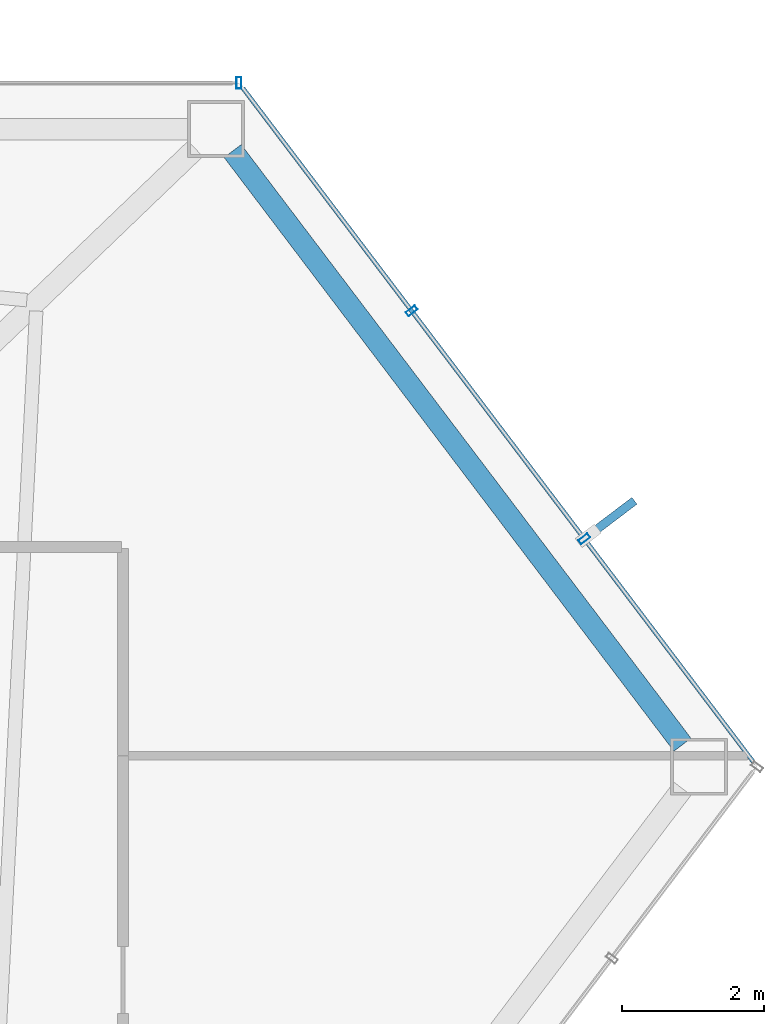
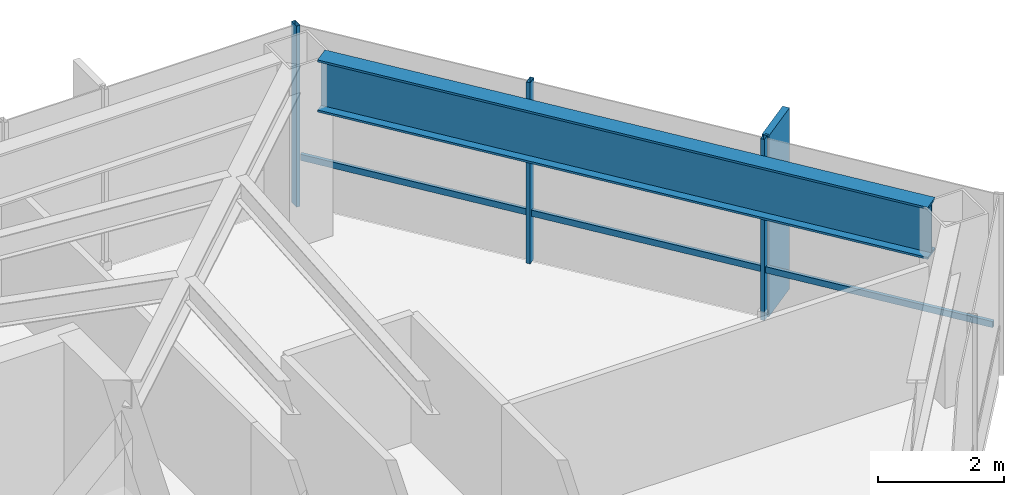
# One storey, part 23 of 28: 5 members, 1 beam, 2 elements without a shape of their own.
"""IFC4 building model written with IfcOpenShell, lengths in metres."""

from ifc_helpers import new_model, si_unit, direction, frame, origin, origin_2d, place, context, subcontext, project, spatial, rectangle, hollow_rectangle, i_section, extrude, material, layer, layer_set, material_profile, profile_set, type_object, element, aggregate, save


model = new_model("IFC4")

# Units and contexts
model_context = context("Model", 3, precision=1e-05, world=origin(), true_north=direction((0.0, 1.0)))
body_context = subcontext(model_context, "Body", "Model", "MODEL_VIEW")
ifc_project = project(units=[si_unit("LENGTHUNIT", "METRE"), si_unit("AREAUNIT", "SQUARE_METRE"), si_unit("VOLUMEUNIT", "CUBIC_METRE"), si_unit("PLANEANGLEUNIT", "RADIAN"), si_unit("MASSUNIT", "GRAM", prefix="KILO")], contexts=[model_context])

# Site, building, storey
site_placement = place(None, origin())
site = spatial("IfcSite", under=ifc_project, at=site_placement, CompositionType="ELEMENT")
building_placement = place(site_placement, origin())
building = spatial("IfcBuilding", under=site, at=building_placement, Name="Zarrinselat Tower", CompositionType="ELEMENT")
storey_placement = place(building_placement, frame((0.0, 0.0, 149.60009765625)))
storey = spatial("IfcBuildingStorey", under=building, at=storey_placement, Name="L36", CompositionType="ELEMENT", Elevation=149.60009765625)

# Beam
ifc_material_1 = material(Name="Steel S460M", Category="steel")
ifc_material_profile_1 = material_profile(ifc_material_1, i_section(OverallWidth=0.302001953125, OverallDepth=1.008056640625, WebThickness=0.02099609375, FlangeThickness=0.0400390625, at=origin_2d()), Name="HEM 1000")
ifc_profile_set_1 = profile_set([ifc_material_profile_1], Name="Steel S460M")
beam_type = type_object("IfcBeamType", Name="BM-HEM1000", PredefinedType="BEAM", material=ifc_profile_set_1)
beam_placement = place(storey_placement, frame((55.5439453125, 48.073974609375, 2.995849609375), z_axis=(0.603871136674, -0.797081959582, 0.0), x_axis=(0.797081959582, 0.603871136674, 0.0)))
element("IfcBeam", 1, at=beam_placement, inside=storey, type_object=beam_type, Name="L36 Perimeter Spandrel Girder SP15", PredefinedType="BEAM", context=body_context, shape_type="SweptSolid", body=[
    extrude(i_section(OverallWidth=0.302001953125, OverallDepth=1.008056640625, WebThickness=0.02099609375, FlangeThickness=0.0400390625, at=origin_2d()), origin(), (0.0, 0.0, 1.0), 10.4853515625),
])

# Curtain wall, member
ifc_material_2 = material(Name="Extruded Aluminium Alloy EN AW-6063 T6", Category="aluminium")
ifc_layer = layer(ifc_material_2, 0.175048828125)
ifc_layer_set = layer_set([ifc_layer], Name="Extruded Aluminium Alloy EN AW-6063 T6")
curtain_wall_type = type_object("IfcCurtainWallType", Name="CWS-HTL", PredefinedType="NOTDEFINED", material=ifc_layer_set)
curtain_wall_1_placement = place(storey_placement, origin())
curtain_wall_1 = element("IfcCurtainWall", 2, at=curtain_wall_1_placement, inside=storey, type_object=curtain_wall_type, Name="L36 Unitised Curtain Wall CW-L36-E01", PredefinedType="NOTDEFINED")
ifc_material_3 = material(Name="Extruded Aluminium Alloy EN AW-6063 T6", Category="aluminium")
ifc_material_profile_2 = material_profile(ifc_material_3, hollow_rectangle(XDim=0.070068359375, YDim=0.159912109375, WallThickness=0.00390625, at=origin_2d()), Name="RHS 160x70x4")
ifc_profile_set_2 = profile_set([ifc_material_profile_2], Name="Extruded Aluminium Alloy EN AW-6063 T6")
member_type_1 = type_object("IfcMemberType", Name="MEM-CW-MUL2", PredefinedType="MULLION", material=ifc_profile_set_2)
member_1_placement = place(storey_placement, frame((55.6328125, 49.033203125, 0.0), z_axis=(0.0, 0.0, 1.0), x_axis=(-1.0, 0.0, 0.0)))
member_1 = element("IfcMember", 3, at=member_1_placement, type_object=member_type_1, Name="CW-L36-E01 Mullion 0", PredefinedType="MULLION", context=body_context, shape_type="SweptSolid", body=[
    extrude(hollow_rectangle(XDim=0.070068359375, YDim=0.159912109375, WallThickness=0.00390625, at=origin_2d()), origin(), (0.0, 0.0, 1.0), 3.5),
])
aggregate(curtain_wall_1, [member_1])

# Curtain wall, members
curtain_wall_2_placement = place(storey_placement, origin())
curtain_wall_2 = element("IfcCurtainWall", 4, at=curtain_wall_2_placement, inside=storey, type_object=curtain_wall_type, Name="L36 Unitised Curtain Wall CW-L36-E06", PredefinedType="NOTDEFINED")
member_2_placement = place(storey_placement, frame((60.49462890625, 42.61572265625, 0.0), z_axis=(0.0, 0.0, 1.0), x_axis=(-0.603861514104, 0.797089249573, 0.0)))
member_2 = element("IfcMember", 5, at=member_2_placement, type_object=member_type_1, Name="CW-L36-E06 Mullion 1", PredefinedType="MULLION", context=body_context, shape_type="SweptSolid", body=[
    extrude(hollow_rectangle(XDim=0.070068359375, YDim=0.159912109375, WallThickness=0.00390625, at=origin_2d()), origin(), (0.0, 0.0, 1.0), 3.5),
])
member_3_placement = place(storey_placement, frame((58.063720703125, 45.824462890625, 0.0), z_axis=(0.0, 0.0, 1.0), x_axis=(-0.603861514104, 0.797089249573, 0.0)))
member_3 = element("IfcMember", 6, at=member_3_placement, type_object=member_type_1, Name="CW-L36-E06 Mullion 2", PredefinedType="MULLION", context=body_context, shape_type="SweptSolid", body=[
    extrude(hollow_rectangle(XDim=0.070068359375, YDim=0.159912109375, WallThickness=0.00390625, at=origin_2d()), origin(), (0.0, 0.0, 1.0), 3.5),
])
ifc_material_4 = material(Name="Extruded Aluminium Alloy EN AW-6063 T6", Category="aluminium")
ifc_material_profile_3 = material_profile(ifc_material_4, hollow_rectangle(XDim=0.06005859375, YDim=0.1201171875, WallThickness=0.00390625, at=origin_2d()), Name="RHS 120x60x4")
ifc_profile_set_3 = profile_set([ifc_material_profile_3], Name="Extruded Aluminium Alloy EN AW-6063 T6")
member_type_2 = type_object("IfcMemberType", Name="MEM-CW-TRN2", PredefinedType="USERDEFINED", material=ifc_profile_set_3)
member_4_placement = place(storey_placement, frame((62.87109375, 39.478515625, 0.949951171875), z_axis=(-0.603850971357, 0.797097236472, 0.0), x_axis=(-0.797097236472, -0.603850971357, 0.0)))
member_4 = element("IfcMember", 7, at=member_4_placement, type_object=member_type_2, Name="CW-L36-E06 Transom 1", ObjectType="TRANSOM", PredefinedType="USERDEFINED", context=body_context, shape_type="SweptSolid", body=[
    extrude(hollow_rectangle(XDim=0.06005859375, YDim=0.1201171875, WallThickness=0.00390625, at=origin_2d()), origin(), (0.0, 0.0, 1.0), 11.897216796875),
])
ifc_material_5 = material(Name="Honed Cream Travertine Stone", Category="masonry")
ifc_material_profile_4 = material_profile(ifc_material_5, rectangle(XDim=0.1201171875, YDim=0.85009765625, at=origin_2d()), Name="FIN 850x120")
ifc_profile_set_4 = profile_set([ifc_material_profile_4], Name="Honed Cream Travertine Stone")
member_type_3 = type_object("IfcMemberType", Name="MEM-STONE-FIN", PredefinedType="USERDEFINED", material=ifc_profile_set_4)
member_5_placement = place(storey_placement, frame((60.861328125, 42.8935546875, 0.0), z_axis=(0.0, 0.0, 1.0), x_axis=(0.603861514104, -0.797089249573, 0.0)))
member_5 = element("IfcMember", 8, at=member_5_placement, type_object=member_type_3, Name="L36 Stone Shading Fin CW-L36-E06-01", ObjectType="FIN", PredefinedType="USERDEFINED", context=body_context, shape_type="SweptSolid", body=[
    extrude(rectangle(XDim=0.1201171875, YDim=0.85009765625, at=origin_2d()), origin(), (0.0, 0.0, 1.0), 3.5),
])
aggregate(curtain_wall_2, [member_2, member_5, member_3, member_4])

save(model, "model.ifc")
